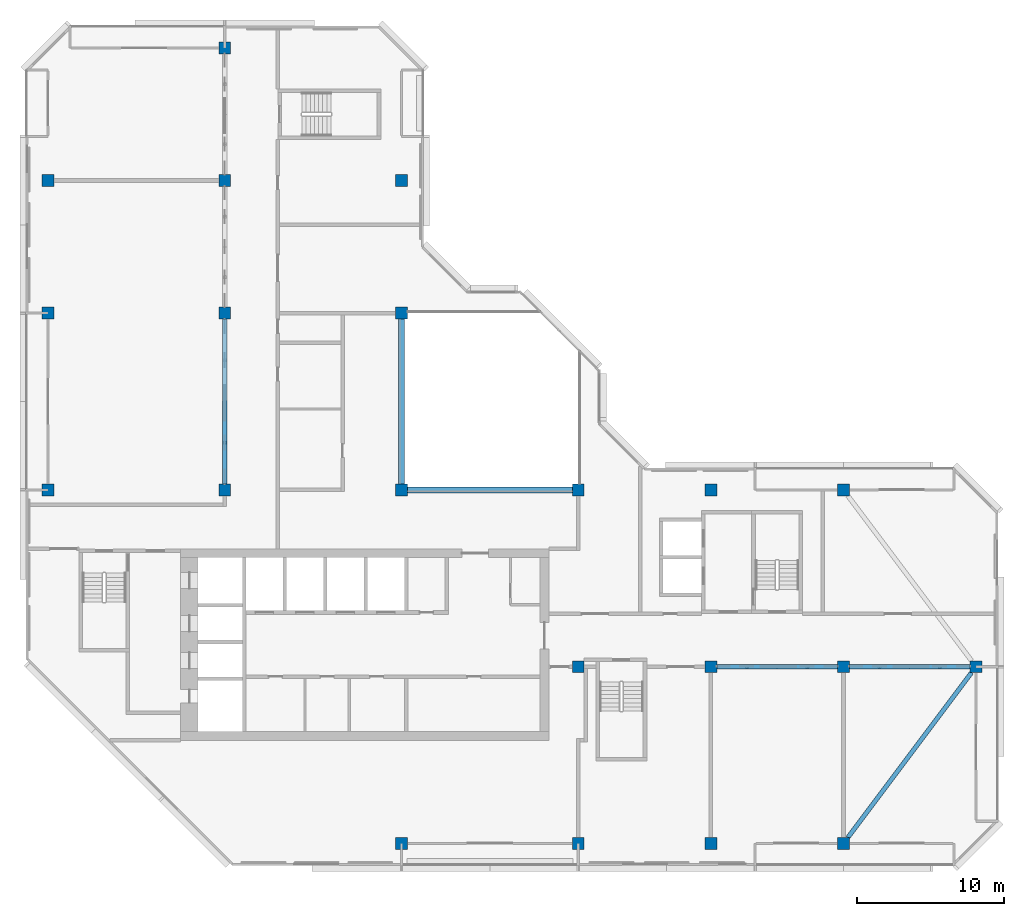
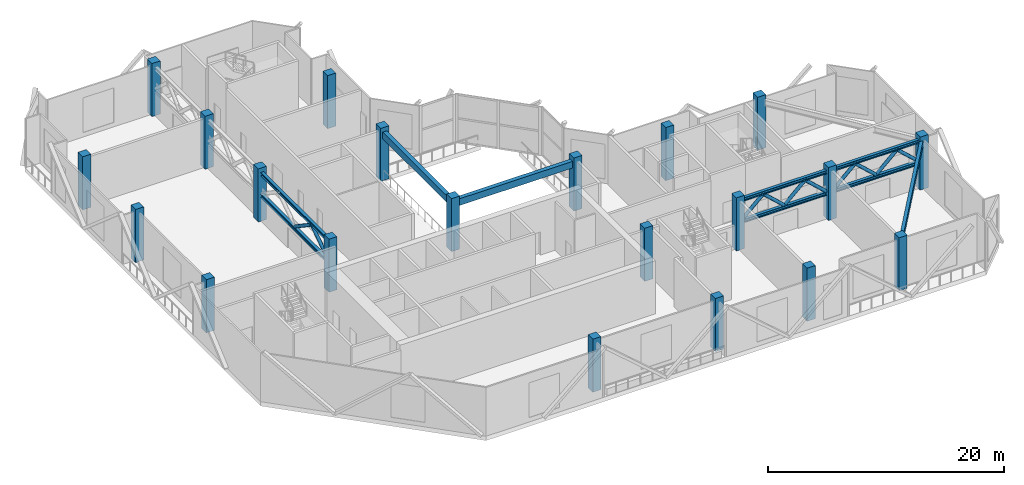
# One storey, part 1 of 13: 21 columns, 10 members, 9 beams.
"""IFC4 building model written with IfcOpenShell, lengths in metres."""

from ifc_helpers import new_model, si_unit, direction, frame, origin, origin_2d, place, context, subcontext, project, spatial, rectangle, hollow_circle, i_section, extrude, material, material_profile, profile_set, type_object, element, save


model = new_model("IFC4")

# Units and contexts
model_context = context("Model", 3, precision=1e-05, world=origin(), true_north=direction((0.0, 1.0)))
body_context = subcontext(model_context, "Body", "Model", "MODEL_VIEW")
ifc_project = project(units=[si_unit("LENGTHUNIT", "METRE"), si_unit("AREAUNIT", "SQUARE_METRE"), si_unit("VOLUMEUNIT", "CUBIC_METRE"), si_unit("PLANEANGLEUNIT", "RADIAN"), si_unit("MASSUNIT", "GRAM", prefix="KILO")], contexts=[model_context])

# Site, building, storey
site_placement = place(None, origin())
site = spatial("IfcSite", under=ifc_project, at=site_placement, CompositionType="ELEMENT")
building_placement = place(site_placement, origin())
building = spatial("IfcBuilding", under=site, at=building_placement, Name="Chenar Terraces", CompositionType="ELEMENT")
storey_placement = place(building_placement, frame((0.0, 0.0, 322.14990234375)))
storey = spatial("IfcBuildingStorey", under=building, at=storey_placement, Name="L76", CompositionType="ELEMENT", Elevation=322.14990234375)

# Columns
ifc_material_1 = material(Name="Concrete C50/60", Category="concrete")
ifc_material_profile_1 = material_profile(ifc_material_1, rectangle(XDim=0.800048828125, YDim=0.800048828125, at=origin_2d()), Name="C 800 x 800")
ifc_profile_set_1 = profile_set([ifc_material_profile_1], Name="Concrete C50/60")
column_type = type_object("IfcColumnType", Name="Column C 800 x 800 Concrete C50/60", PredefinedType="COLUMN", material=ifc_profile_set_1)
for number, where, z_axis, x_axis, name in (
    (1, (0.0, 24.0, 0.0), (0.0, 0.0, 1.0), (1.0, 0.0, 0.0), "Column 5/G L76"),
    (2, (0.0, 36.0, 0.0), (0.0, 0.0, 1.0), (1.0, 0.0, 0.0), "Column 5/H L76"),
):
    element("IfcColumn", number, at=place(storey_placement, frame(where, z_axis=z_axis, x_axis=x_axis)), inside=storey, type_object=column_type, Name=name, PredefinedType="COLUMN", context=body_context, shape_type="SweptSolid", body=[
        extrude(rectangle(XDim=0.800048828125, YDim=0.800048828125, at=origin_2d()), origin(), (0.0, 0.0, 1.0), 5.5),
    ])
column_placement = place(storey_placement, frame((0.0, 45.0, 0.0), z_axis=(0.0, 0.0, 1.0), x_axis=(1.0, 0.0, 0.0)))
element("IfcColumn", 3, at=column_placement, inside=storey, type_object=column_type, Name="Column 5/J L76", PredefinedType="COLUMN", context=body_context, shape_type="SweptSolid", body=[
    extrude(rectangle(XDim=0.800048828125, YDim=0.800048828125, at=origin_2d()), origin(), (0.0, 0.0, 1.0), 5.5),
])
for number, where, z_axis, x_axis, name in (
    (4, (12.0, 24.0, 0.0), (0.0, 0.0, 1.0), (1.0, 0.0, 0.0), "Column 6/G L76"),
    (5, (12.0, 36.0, 0.0), (0.0, 0.0, 1.0), (1.0, 0.0, 0.0), "Column 6/H L76"),
    (6, (12.0, 45.0, 0.0), (0.0, 0.0, 1.0), (1.0, 0.0, 0.0), "Column 6/J L76"),
    (7, (12.0, 54.0, 0.0), (0.0, 0.0, 1.0), (1.0, 0.0, 0.0), "Column 6/K L76"),
    (8, (24.0, 0.0, 0.0), (0.0, 0.0, 1.0), (1.0, 0.0, 0.0), "Column 7/E L76"),
    (9, (24.0, 24.0, 0.0), (0.0, 0.0, 1.0), (1.0, 0.0, 0.0), "Column 7/G L76"),
    (10, (24.0, 36.0, 0.0), (0.0, 0.0, 1.0), (1.0, 0.0, 0.0), "Column 7/H L76"),
    (11, (24.0, 45.0, 0.0), (0.0, 0.0, 1.0), (1.0, 0.0, 0.0), "Column 7/J L76"),
    (12, (36.0, 0.0, 0.0), (0.0, 0.0, 1.0), (1.0, 0.0, 0.0), "Column 8/E L76"),
    (13, (36.0, 12.0, 0.0), (0.0, 0.0, 1.0), (1.0, 0.0, 0.0), "Column 8/F L76"),
    (14, (36.0, 24.0, 0.0), (0.0, 0.0, 1.0), (1.0, 0.0, 0.0), "Column 8/G L76"),
    (15, (45.0, 0.0, 0.0), (0.0, 0.0, 1.0), (1.0, 0.0, 0.0), "Column 9/E L76"),
    (16, (45.0, 12.0, 0.0), (0.0, 0.0, 1.0), (1.0, 0.0, 0.0), "Column 9/F L76"),
    (17, (45.0, 24.0, 0.0), (0.0, 0.0, 1.0), (1.0, 0.0, 0.0), "Column 9/G L76"),
    (18, (54.0, 0.0, 0.0), (0.0, 0.0, 1.0), (1.0, 0.0, 0.0), "Column 10/E L76"),
    (19, (54.0, 12.0, 0.0), (0.0, 0.0, 1.0), (1.0, 0.0, 0.0), "Column 10/F L76"),
    (20, (54.0, 24.0, 0.0), (0.0, 0.0, 1.0), (1.0, 0.0, 0.0), "Column 10/G L76"),
    (21, (63.0, 12.0, 0.0), (0.0, 0.0, 1.0), (1.0, 0.0, 0.0), "Column 11/F L76"),
):
    element("IfcColumn", number, at=place(storey_placement, frame(where, z_axis=z_axis, x_axis=x_axis)), inside=storey, type_object=column_type, Name=name, PredefinedType="COLUMN", context=body_context, shape_type="SweptSolid", body=[
        extrude(rectangle(XDim=0.800048828125, YDim=0.800048828125, at=origin_2d()), origin(), (0.0, 0.0, 1.0), 5.5),
    ])

# Beams
ifc_material_2 = material(Name="Concrete C40/50", Category="concrete")
ifc_material_profile_2 = material_profile(ifc_material_2, rectangle(XDim=0.39990234375, YDim=0.699951171875, at=origin_2d()), Name="RC 400 x 700")
ifc_profile_set_2 = profile_set([ifc_material_profile_2], Name="Concrete C40/50")
beam_type_1 = type_object("IfcBeamType", Name="Atrium edge beam 400 x 700 Concrete C40/50", PredefinedType="BEAM", material=ifc_profile_set_2)
for number, where, z_axis, x_axis, name in (
    (22, (24.39990234375, 24.0, 4.7001953125), (1.0, 0.0, 0.0), (0.0, 1.0, 0.0), "Atrium edge beam L77 1"),
    (23, (24.0, 35.60009765625, 4.7001953125), (0.0, -1.0, 0.0), (1.0, 0.0, 0.0), "Atrium edge beam L77 4"),
):
    element("IfcBeam", number, at=place(storey_placement, frame(where, z_axis=z_axis, x_axis=x_axis)), inside=storey, type_object=beam_type_1, Name=name, PredefinedType="BEAM", context=body_context, shape_type="SweptSolid", body=[
        extrude(rectangle(XDim=0.39990234375, YDim=0.699951171875, at=origin_2d()), origin(), (0.0, 0.0, 1.0), 11.2001953125),
    ])
ifc_material_3 = material(Name="Structural steel S355", Category="steel")
ifc_material_profile_3 = material_profile(ifc_material_3, i_section(OverallWidth=0.300048828125, OverallDepth=0.360107421875, WebThickness=0.012451171875, FlangeThickness=0.0224609375, FilletRadius=0.027099609375, at=origin_2d()), Name="HEB 360")
ifc_profile_set_3 = profile_set([ifc_material_profile_3], Name="Structural steel S355")
beam_type_2 = type_object("IfcBeamType", Name="Belt truss chord HEB 360 S355", PredefinedType="BEAM", material=ifc_profile_set_3)
for number, where, z_axis, x_axis, name in (
    (24, (45.39990234375, 12.0, 4.8701171875), (1.0, 0.0, 0.0), (0.0, 1.0, 0.0), "Belt truss L76 A1 top chord"),
    (25, (45.39990234375, 12.0, 2.630126953125), (1.0, 0.0, 0.0), (0.0, 1.0, 0.0), "Belt truss L76 A1 bottom chord"),
    (26, (54.39990234375, 12.0, 4.8701171875), (1.0, 0.0, 0.0), (0.0, 1.0, 0.0), "Belt truss L76 A2 top chord"),
    (27, (54.39990234375, 12.0, 2.630126953125), (1.0, 0.0, 0.0), (0.0, 1.0, 0.0), "Belt truss L76 A2 bottom chord"),
):
    element("IfcBeam", number, at=place(storey_placement, frame(where, z_axis=z_axis, x_axis=x_axis)), inside=storey, type_object=beam_type_2, Name=name, PredefinedType="BEAM", context=body_context, shape_type="SweptSolid", body=[
        extrude(i_section(OverallWidth=0.300048828125, OverallDepth=0.360107421875, WebThickness=0.012451171875, FlangeThickness=0.0224609375, FilletRadius=0.027099609375, at=origin_2d()), origin(), (0.0, 0.0, 1.0), 8.2001953125),
    ])
for number, where, z_axis, x_axis, name in (
    (28, (12.0, 24.39990234375, 4.8701171875), (0.0, 1.0, 0.0), (-1.0, 0.0, 0.0), "Belt truss L76 B1 top chord"),
    (29, (12.0, 24.39990234375, 2.630126953125), (0.0, 1.0, 0.0), (-1.0, 0.0, 0.0), "Belt truss L76 B1 bottom chord"),
):
    element("IfcBeam", number, at=place(storey_placement, frame(where, z_axis=z_axis, x_axis=x_axis)), inside=storey, type_object=beam_type_2, Name=name, PredefinedType="BEAM", context=body_context, shape_type="SweptSolid", body=[
        extrude(i_section(OverallWidth=0.300048828125, OverallDepth=0.360107421875, WebThickness=0.012451171875, FlangeThickness=0.0224609375, FilletRadius=0.027099609375, at=origin_2d()), origin(), (0.0, 0.0, 1.0), 11.2001953125),
    ])

# Members
ifc_material_4 = material(Name="Structural steel S355", Category="steel")
ifc_material_profile_4 = material_profile(ifc_material_4, hollow_circle(Radius=0.161865234375, WallThickness=0.012451171875, at=origin_2d()), Name="CHS 323.9x12.5")
ifc_profile_set_4 = profile_set([ifc_material_profile_4], Name="Structural steel S355")
member_type = type_object("IfcMemberType", Name="Belt truss diagonal CHS 323.9x12.5 S355", PredefinedType="BRACE", material=ifc_profile_set_4)
for number, where, z_axis, x_axis, name in (
    (30, (45.39990234375, 12.0, 2.81005859375), (0.736990173998, 0.0, 0.675903457182), (0.0, 1.0, 0.0), "Belt truss L76 A1 diagonal 1"),
    (31, (47.449951171875, 12.0, 4.690185546875), (0.736990173998, 0.0, -0.675903457182), (0.0, 1.0, 0.0), "Belt truss L76 A1 diagonal 2"),
    (32, (49.5, 12.0, 2.81005859375), (0.736990173998, 0.0, 0.675903457182), (0.0, 1.0, 0.0), "Belt truss L76 A1 diagonal 3"),
    (33, (51.550048828125, 12.0, 4.690185546875), (0.736990173998, 0.0, -0.675903457182), (0.0, 1.0, 0.0), "Belt truss L76 A1 diagonal 4"),
    (34, (54.39990234375, 12.0, 2.81005859375), (0.736990173998, 0.0, 0.675903457182), (0.0, 1.0, 0.0), "Belt truss L76 A2 diagonal 1"),
    (35, (56.449951171875, 12.0, 4.690185546875), (0.736990173998, 0.0, -0.675903457182), (0.0, 1.0, 0.0), "Belt truss L76 A2 diagonal 2"),
    (36, (58.5, 12.0, 2.81005859375), (0.736990173998, 0.0, 0.675903457182), (0.0, 1.0, 0.0), "Belt truss L76 A2 diagonal 3"),
    (37, (60.550048828125, 12.0, 4.690185546875), (0.736990173998, 0.0, -0.675903457182), (0.0, 1.0, 0.0), "Belt truss L76 A2 diagonal 4"),
):
    element("IfcMember", number, at=place(storey_placement, frame(where, z_axis=z_axis, x_axis=x_axis)), inside=storey, type_object=member_type, Name=name, PredefinedType="BRACE", context=body_context, shape_type="SweptSolid", body=[
        extrude(hollow_circle(Radius=0.161865234375, WallThickness=0.012451171875, at=origin_2d()), origin(), (0.0, 0.0, 1.0), 2.78173828125),
    ])
for number, where, z_axis, x_axis, name in (
    (38, (12.0, 24.39990234375, 2.81005859375), (0.0, 0.830208209119, 0.557453432594), (-1.0, 0.0, 0.0), "Belt truss L76 B1 diagonal 1"),
    (39, (12.0, 27.199951171875, 4.690185546875), (0.0, 0.830208209119, -0.557453432594), (-1.0, 0.0, 0.0), "Belt truss L76 B1 diagonal 2"),
):
    element("IfcMember", number, at=place(storey_placement, frame(where, z_axis=z_axis, x_axis=x_axis)), inside=storey, type_object=member_type, Name=name, PredefinedType="BRACE", context=body_context, shape_type="SweptSolid", body=[
        extrude(hollow_circle(Radius=0.161865234375, WallThickness=0.012451171875, at=origin_2d()), origin(), (0.0, 0.0, 1.0), 3.372802734375),
    ])

# Beam
ifc_material_5 = material(Name="Structural steel S355", Category="steel")
ifc_material_profile_5 = material_profile(ifc_material_5, i_section(OverallWidth=0.300048828125, OverallDepth=0.60009765625, WebThickness=0.015380859375, FlangeThickness=0.030029296875, FilletRadius=0.027099609375, at=origin_2d()), Name="HEB 600")
ifc_profile_set_5 = profile_set([ifc_material_profile_5], Name="Structural steel S355")
beam_type_3 = type_object("IfcBeamType", Name="Terrace girder HEB 600 S355", PredefinedType="BEAM", material=ifc_profile_set_5)
beam_placement = place(storey_placement, frame((54.300048828125, 0.39990234375, 4.75), z_axis=(0.599988839305, 0.800008370399, 0.0), x_axis=(-0.800008370399, 0.599988839305, 0.0)))
element("IfcBeam", 40, at=beam_placement, inside=storey, type_object=beam_type_3, Name="Terrace girder L77 1", PredefinedType="BEAM", context=body_context, shape_type="SweptSolid", body=[
    extrude(i_section(OverallWidth=0.300048828125, OverallDepth=0.60009765625, WebThickness=0.015380859375, FlangeThickness=0.030029296875, FilletRadius=0.027099609375, at=origin_2d()), origin(), (0.0, 0.0, 1.0), 14.0),
])

save(model, "model.ifc")
